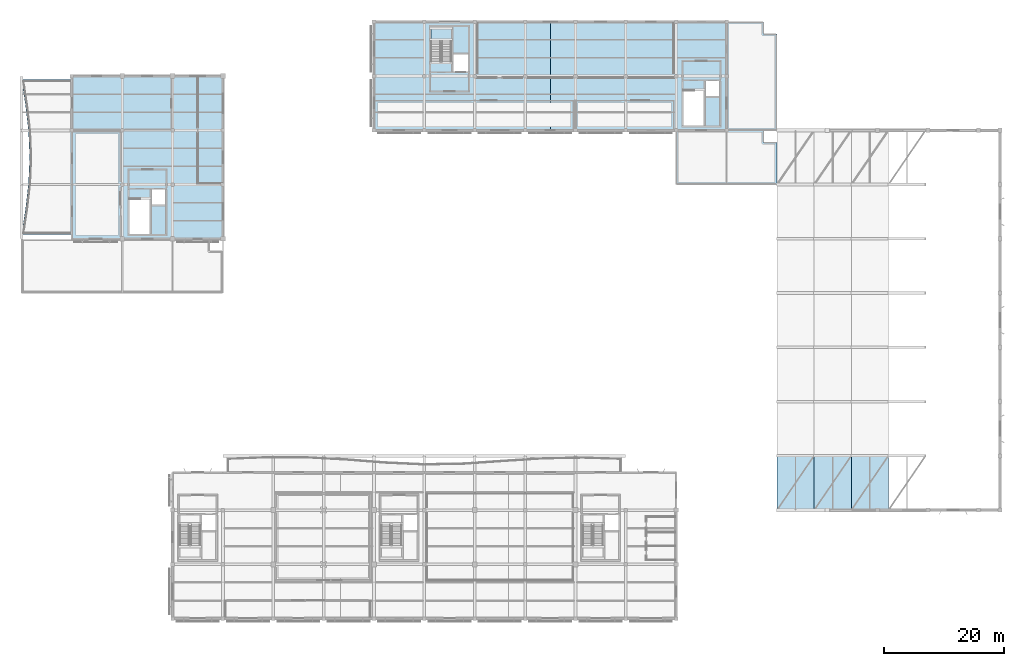
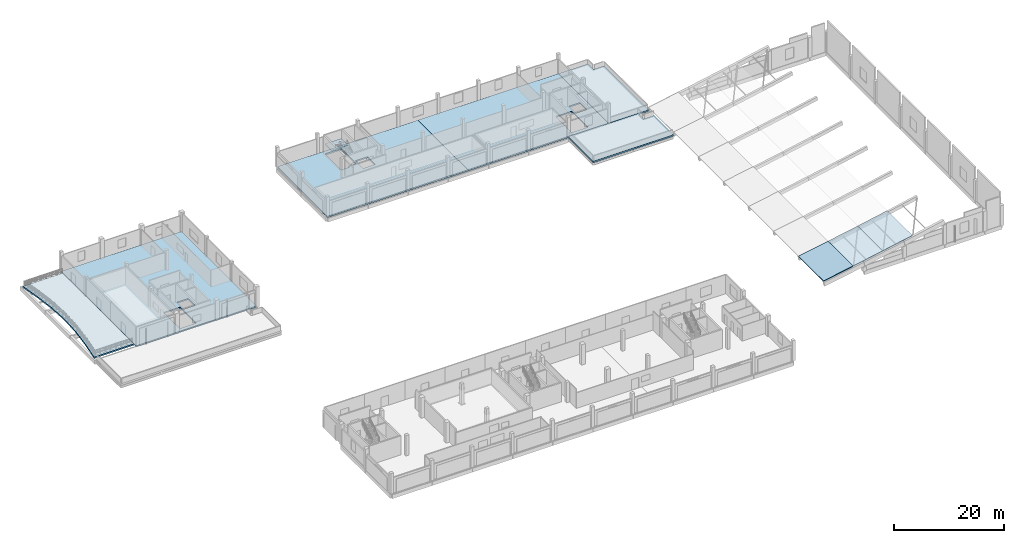
# One storey, part 9 of 34: 10 slabs, 1 element without a shape of its own.
"""IFC4 building model written with IfcOpenShell, lengths in metres."""

import ifcopenshell
import ifcopenshell.guid

model = None  # the IFC model being written
_history = None  # IfcOwnerHistory: only IFC2X3 demands one
_inside = {}  # id of a spatial element -> (the spatial element, [elements in it])
_under = {}  # id of a project, library or spatial element -> (it, [spatial elements below it])
_declared = {}  # id of a project -> (the project, [libraries it declares])
_typed = {}  # id of a type object -> (the type object, [elements of that type])
_made_of = {}  # id of a material, layer set ... -> (it, [elements and type objects made of it])


def new_model(schema):
    """Start an empty IFC model of exactly this schema.

    Asked for "IFC4X3", IfcOpenShell would pick the latest addendum, in which some entities
    have other attributes; the version numbers below select the first issue.
    IFC2X3 requires an IfcOwnerHistory on every rooted entity: one is made here for all.
    """
    global model, _history
    if schema == "IFC4X3":
        model = ifcopenshell.file(schema_version=(4, 3, 0, 0))
    else:
        model = ifcopenshell.file(schema=schema)
    _inside.clear()
    _under.clear()
    _declared.clear()
    _typed.clear()
    _made_of.clear()
    _history = None
    if model.schema == "IFC2X3":
        org = make("IfcOrganization", Name="unknown")
        user = make(
            "IfcPersonAndOrganization",
            ThePerson=make("IfcPerson", FamilyName="unknown"),
            TheOrganization=org,
        )
        app = make(
            "IfcApplication",
            ApplicationDeveloper=org,
            Version="unknown",
            ApplicationFullName="unknown",
            ApplicationIdentifier="unknown",
        )
        _history = make(
            "IfcOwnerHistory",
            OwningUser=user,
            OwningApplication=app,
            ChangeAction="ADDED",
            CreationDate=0,
        )
    return model


def make(cls, **values):
    """One entity of the class cls with the attributes given. An attribute that is None is left unset."""
    return model.create_entity(
        cls, **{name: value for name, value in values.items() if value is not None}
    )


def rooted(cls, **values):
    """An entity with a GlobalId (a new one), such as an element, a storey or a relation."""
    return make(cls, GlobalId=ifcopenshell.guid.new(), OwnerHistory=_history, **values)


def si_unit(unit_type, name, prefix=None):
    """IfcSIUnit, for example si_unit("LENGTHUNIT", "METRE", prefix="MILLI")."""
    return make("IfcSIUnit", UnitType=unit_type, Prefix=prefix, Name=name)


def assignment(units):
    """IfcUnitAssignment: the units of a project."""
    return None if units is None else make("IfcUnitAssignment", Units=units)


def point(xyz):
    """IfcCartesianPoint."""
    return None if xyz is None else make("IfcCartesianPoint", Coordinates=xyz)


def direction(xyz):
    """IfcDirection."""
    return None if xyz is None else make("IfcDirection", DirectionRatios=xyz)


def frame(location, z_axis=None, x_axis=None):
    """IfcAxis2Placement3D, a coordinate frame: its origin and axes. An axis left out is left unset."""
    return make(
        "IfcAxis2Placement3D",
        Location=point(location),
        Axis=direction(z_axis),
        RefDirection=direction(x_axis),
    )


def origin():
    """The frame at (0, 0, 0) with its axes left unset."""
    return frame((0.0, 0.0, 0.0))


def place(relative_to, where):
    """IfcLocalPlacement: puts the frame where relative to a parent placement (None: the world)."""
    return make(
        "IfcLocalPlacement", PlacementRelTo=relative_to, RelativePlacement=where
    )


def context(
    kind, dimensions, precision=None, world=None, true_north=None, identifier=None
):
    """IfcGeometricRepresentationContext, for example the 3D "Model" context."""
    return make(
        "IfcGeometricRepresentationContext",
        ContextIdentifier=identifier,
        ContextType=kind,
        CoordinateSpaceDimension=dimensions,
        Precision=precision,
        WorldCoordinateSystem=world,
        TrueNorth=true_north,
    )


def subcontext(parent, identifier, kind, view, scale=None):
    """IfcGeometricRepresentationSubContext, for example "Body" below "Model"."""
    return make(
        "IfcGeometricRepresentationSubContext",
        ContextIdentifier=identifier,
        ContextType=kind,
        ParentContext=parent,
        TargetScale=scale,
        TargetView=view,
    )


def project(units=None, contexts=None):
    """IfcProject with its units and contexts."""
    return rooted(
        "IfcProject",
        Name="project",
        RepresentationContexts=contexts,
        UnitsInContext=assignment(units),
    )


def spatial(cls, under=None, at=None, **own):
    """A site, building, storey or space (cls), placed at a placement, below another one or the project."""
    s = rooted(cls, ObjectPlacement=at, **own)
    if under is not None:
        _under.setdefault(under.id(), (under, []))[1].append(s)
    return s


def polyline(points):
    """IfcPolyline through the points."""
    return make("IfcPolyline", Points=[point(p) for p in points])


def outline(outer, holes=None, kind="AREA"):
    """IfcArbitraryClosedProfileDef: a profile drawn as a closed curve; with holes, ...WithVoids."""
    if holes is None:
        return make("IfcArbitraryClosedProfileDef", ProfileType=kind, OuterCurve=outer)
    return make(
        "IfcArbitraryProfileDefWithVoids",
        ProfileType=kind,
        OuterCurve=outer,
        InnerCurves=holes,
    )


def extrude(swept, where, along, depth):
    """IfcExtrudedAreaSolid: the profile swept, set in the frame where, extruded along a direction by depth."""
    return make(
        "IfcExtrudedAreaSolid",
        SweptArea=swept,
        Position=where,
        ExtrudedDirection=direction(along),
        Depth=depth,
    )


def shape(context_of_items, identifier, shape_type, items):
    """IfcShapeRepresentation: the items that make up one representation, for example the "Body"."""
    return make(
        "IfcShapeRepresentation",
        ContextOfItems=context_of_items,
        RepresentationIdentifier=identifier,
        RepresentationType=shape_type,
        Items=items,
    )


def material(Name=None, Category=None):
    """IfcMaterial."""
    return make("IfcMaterial", Name=Name, Category=Category)


def layer(
    of_material, thickness, ventilated=None, Name=None, Category=None, Priority=None
):
    """IfcMaterialLayer: one layer of a wall or slab, of a material (None: an air gap)."""
    return make(
        "IfcMaterialLayer",
        Material=of_material,
        LayerThickness=thickness,
        IsVentilated=ventilated,
        Name=Name,
        Category=Category,
        Priority=Priority,
    )


def layer_set(layers, Name=None):
    """IfcMaterialLayerSet."""
    return make("IfcMaterialLayerSet", MaterialLayers=layers, LayerSetName=Name)


def made_of(thing, what):
    """Note that an element or type object is made of a material, layer set ...; save() writes the relation."""
    if what is not None:
        _made_of.setdefault(what.id(), (what, []))[1].append(thing)
    return thing


def type_object(cls, material=None, **own):
    """A type object (cls), such as IfcWallType, which elements share."""
    return made_of(rooted(cls, **own), material)


def element(
    cls,
    number,
    at=None,
    inside=None,
    cuts=None,
    type_object=None,
    material=None,
    context=None,
    identifier="Body",
    shape_type=None,
    held_by="IfcProductDefinitionShape",
    body=None,
    shapes=None,
    **own,
):
    """One element of the class cls, such as IfcWall. Its Tag is "e" and its number.

    at: its placement. inside: the storey or other place that contains it. cuts: it is an
    opening in that element (IfcRelVoidsElement). A single representation is given by context,
    identifier, shape_type and body (its items); several are given by shapes. held_by: the class
    of the entity that holds the representations. save() writes the other relations.
    """
    e = rooted(cls, Tag="e%d" % number, ObjectPlacement=at, **own)
    if body is not None:
        shapes = [shape(context, identifier, shape_type, body)]
    if shapes is not None:
        e.Representation = make(held_by, Representations=shapes)
    if inside is not None:
        _inside.setdefault(inside.id(), (inside, []))[1].append(e)
    if cuts is not None:
        rooted(
            "IfcRelVoidsElement", RelatingBuildingElement=cuts, RelatedOpeningElement=e
        )
    if type_object is not None:
        _typed.setdefault(type_object.id(), (type_object, []))[1].append(e)
    return made_of(e, material)


def aggregate(whole, parts):
    """IfcRelAggregates: a whole, such as a stair, and the parts it consists of."""
    return rooted("IfcRelAggregates", RelatingObject=whole, RelatedObjects=parts)


def save(model, path):
    """Write the relations noted so far, then the file.

    IfcRelAggregates (storeys below a building ...), IfcRelContainedInSpatialStructure (elements
    in a storey), IfcRelDefinesByType, IfcRelAssociatesMaterial and IfcRelDeclares: one each for
    every whole, place, type object, material and project.
    """
    for whole, parts in _under.values():
        aggregate(whole, parts)
    for where, things in _inside.values():
        rooted(
            "IfcRelContainedInSpatialStructure",
            RelatedElements=things,
            RelatingStructure=where,
        )
    for kind, things in _typed.values():
        rooted("IfcRelDefinesByType", RelatedObjects=things, RelatingType=kind)
    for what, things in _made_of.values():
        rooted("IfcRelAssociatesMaterial", RelatedObjects=things, RelatingMaterial=what)
    for by, libraries in _declared.values():
        rooted("IfcRelDeclares", RelatingContext=by, RelatedDefinitions=libraries)
    model.write(path)


model = new_model("IFC4")

# Units and contexts
model_context = context("Model", 3, precision=1e-05, world=origin(), true_north=direction((0.0, 1.0)))
body_context = subcontext(model_context, "Body", "Model", "MODEL_VIEW")
ifc_project = project(units=[si_unit("LENGTHUNIT", "METRE"), si_unit("AREAUNIT", "SQUARE_METRE"), si_unit("VOLUMEUNIT", "CUBIC_METRE"), si_unit("PLANEANGLEUNIT", "RADIAN"), si_unit("MASSUNIT", "GRAM", prefix="KILO")], contexts=[model_context])

# Site, building, storey
site_placement = place(None, origin())
site = spatial("IfcSite", under=ifc_project, at=site_placement, CompositionType="ELEMENT")
building_placement = place(site_placement, origin())
building = spatial("IfcBuilding", under=site, at=building_placement, Name="Khurvash Pelagic Aquarium", CompositionType="ELEMENT")
storey_placement = place(building_placement, frame((0.0, 0.0, 15.60009765625)))
storey = spatial("IfcBuildingStorey", under=building, at=storey_placement, Name="L03", CompositionType="ELEMENT", Elevation=15.60009765625)

# Slabs
ifc_material_1 = material(Name="Concrete C40/50", Category="concrete")
ifc_layer_1 = layer(ifc_material_1, 0.300048828125)
ifc_layer_set_1 = layer_set([ifc_layer_1], Name="Concrete C40/50")
slab_type_1 = type_object("IfcSlabType", Name="FS-300", PredefinedType="FLOOR", material=ifc_layer_set_1)
slab_1_placement = place(storey_placement, frame((0.0, 0.0, -0.300048828125)))
element("IfcSlab", 1, at=slab_1_placement, inside=storey, type_object=slab_type_1, Name="L03 Structural Floor Slab FS-300 V4_WEST.1", PredefinedType="FLOOR", context=body_context, shape_type="SweptSolid", body=[
    extrude(outline(polyline([(8.39990234375, 65.949951171875), (33.60009765625, 65.949951171875), (33.60009765625, 93.10009765625), (8.39990234375, 93.10009765625), (8.39990234375, 65.949951171875)]), holes=[polyline([(18.0, 66.75), (18.0, 72.550048828125), (21.39990234375, 72.550048828125), (21.39990234375, 66.75), (18.0, 66.75)]), polyline([(24.0, 71.64990234375), (21.699951171875, 71.64990234375), (21.699951171875, 74.14990234375), (24.0, 74.14990234375), (24.0, 71.64990234375)])]), origin(), (0.0, 0.0, 1.0), 0.300048828125),
])
slab_2_placement = place(storey_placement, frame((0.0, 0.0, -0.300048828125)))
element("IfcSlab", 2, at=slab_2_placement, inside=storey, type_object=slab_type_1, Name="L03 Structural Floor Slab FS-300 V5_NORTH.1", PredefinedType="FLOOR", context=body_context, shape_type="SweptSolid", body=[
    extrude(outline(polyline([(58.800048828125, 84.050048828125), (88.199951171875, 84.050048828125), (88.199951171875, 102.14990234375), (58.800048828125, 102.14990234375), (58.800048828125, 84.050048828125)]), holes=[polyline([(70.10009765625, 95.5), (68.300048828125, 95.5), (68.300048828125, 101.300048828125), (71.699951171875, 101.300048828125), (71.699951171875, 95.8798828125), (70.10009765625, 95.8798828125), (70.10009765625, 95.5)]), polyline([(74.5, 93.89990234375), (72.0, 93.89990234375), (72.0, 96.699951171875), (74.5, 96.699951171875), (74.5, 93.89990234375)])]), origin(), (0.0, 0.0, 1.0), 0.300048828125),
])
slab_3_placement = place(storey_placement, frame((0.0, 0.0, -0.300048828125)))
element("IfcSlab", 3, at=slab_3_placement, inside=storey, type_object=slab_type_1, Name="L03 Structural Floor Slab FS-300 V5_NORTH.2", PredefinedType="FLOOR", context=body_context, shape_type="SweptSolid", body=[
    extrude(outline(polyline([(117.60009765625, 84.050048828125), (117.60009765625, 102.14990234375), (88.199951171875, 102.14990234375), (88.199951171875, 84.050048828125), (117.60009765625, 84.050048828125)]), holes=[polyline([(110.39990234375, 84.85009765625), (110.39990234375, 90.64990234375), (113.800048828125, 90.64990234375), (113.800048828125, 84.85009765625), (110.39990234375, 84.85009765625)]), polyline([(116.39990234375, 89.75), (114.10009765625, 89.75), (114.10009765625, 92.25), (116.39990234375, 92.25), (116.39990234375, 89.75)])]), origin(), (0.0, 0.0, 1.0), 0.300048828125),
])
ifc_material_2 = material(Name="Steel-fibre concrete C40/50", Category="concrete")
ifc_layer_2 = layer(ifc_material_2, 0.1650390625)
ifc_layer_set_2 = layer_set([ifc_layer_2], Name="Steel-fibre concrete C40/50")
slab_type_2 = type_object("IfcSlabType", Name="RS-165", PredefinedType="ROOF", material=ifc_layer_set_2)
slab_4_placement = place(storey_placement, frame((126.0, 20.699951171875, 0.599853515625), z_axis=(-0.18086177632, 0.0, 0.983508524552), x_axis=(0.983508524552, 0.0, 0.18086177632)))
element("IfcSlab", 4, at=slab_4_placement, inside=storey, type_object=slab_type_2, Name="Main Ocean Tank Wave Shell Roof Strip RS-165 Bay 1.1", PredefinedType="ROOF", context=body_context, shape_type="SweptSolid", body=[
    extrude(outline(polyline([(0.0, 0.0), (6.303911981545761, 0.0), (6.303911981545761, 9.050048828125), (0.0, 9.050048828125), (0.0, 0.0)])), origin(), (0.0, 0.0, -1.0), 0.1650390625),
])
slab_5_placement = place(storey_placement, frame((132.199951171875, 20.699951171875, 1.739990234375), z_axis=(-0.186957456135, 0.0, 0.982368011285), x_axis=(0.982368011285, 0.0, 0.186957456135)))
element("IfcSlab", 5, at=slab_5_placement, inside=storey, type_object=slab_type_2, Name="Main Ocean Tank Wave Shell Roof Strip RS-165 Bay 1.2", PredefinedType="ROOF", context=body_context, shape_type="SweptSolid", body=[
    extrude(outline(polyline([(0.0, 0.0), (6.311230720721767, 0.0), (6.311230720721767, 9.050048828125), (0.0, 9.050048828125), (0.0, 0.0)])), origin(), (0.0, 0.0, -1.0), 0.1650390625),
])
slab_6_placement = place(storey_placement, frame((138.39990234375, 20.699951171875, 2.919921875), z_axis=(-0.19610870981, 0.0, 0.980582160727), x_axis=(0.980582160727, 0.0, 0.19610870981)))
element("IfcSlab", 6, at=slab_6_placement, inside=storey, type_object=slab_type_2, Name="Main Ocean Tank Wave Shell Roof Strip RS-165 Bay 1.3", PredefinedType="ROOF", context=body_context, shape_type="SweptSolid", body=[
    extrude(outline(polyline([(0.0, 0.0), (6.322973801502925, 0.0), (6.322973801502925, 9.050048828125002), (0.0, 9.050048828125002), (0.0, 0.0)])), origin(), (0.0, 0.0, -1.0), 0.1650390625),
])
ifc_material_3 = material(Name="Concrete C35/45", Category="concrete")
ifc_layer_3 = layer(ifc_material_3, 0.320068359375)
ifc_layer_set_3 = layer_set([ifc_layer_3], Name="Concrete C35/45")
slab_type_3 = type_object("IfcSlabType", Name="RS-320", PredefinedType="ROOF", material=ifc_layer_set_3)
slab_7_placement = place(storey_placement, frame((0.0, 0.0, -0.320068359375)))
element("IfcSlab", 7, at=slab_7_placement, inside=storey, type_object=slab_type_3, Name="L03 Insulated Concrete Roof Slab RS-320 ROOF_L03_NLINK.1", PredefinedType="ROOF", context=body_context, shape_type="SweptSolid", body=[
    extrude(outline(polyline([(126.0, 75.0), (126.0, 82.050048828125), (123.800048828125, 82.050048828125), (123.800048828125, 84.050048828125), (117.60009765625, 84.050048828125), (109.199951171875, 84.050048828125), (109.199951171875, 75.0), (126.0, 75.0)])), origin(), (0.0, 0.0, 1.0), 0.320068359375),
])
slab_8_placement = place(storey_placement, frame((0.0, 0.0, -0.320068359375)))
element("IfcSlab", 8, at=slab_8_placement, inside=storey, type_object=slab_type_3, Name="L03 Insulated Concrete Roof Slab RS-320 ROOF_L03_NE.1", PredefinedType="ROOF", context=body_context, shape_type="SweptSolid", body=[
    extrude(outline(polyline([(126.0, 84.050048828125), (126.0, 100.14990234375), (123.800048828125, 100.14990234375), (123.800048828125, 102.14990234375), (117.60009765625, 102.14990234375), (117.60009765625, 84.050048828125), (123.800048828125, 84.050048828125), (126.0, 84.050048828125)])), origin(), (0.0, 0.0, 1.0), 0.320068359375),
])

# Stair, slab
stair_type = type_object("IfcStairType", Name="ST-04", PredefinedType="HALF_TURN_STAIR", material=ifc_material_3)
stair_placement = place(storey_placement, origin())
stair = element("IfcStair", 9, at=stair_placement, inside=storey, type_object=stair_type, Name="L03 Protected Exit Stair ST-04", PredefinedType="HALF_TURN_STAIR")
ifc_layer_4 = layer(ifc_material_3, 0.199951171875)
ifc_layer_set_4 = layer_set([ifc_layer_4], Name="Concrete C35/45")
slab_type_4 = type_object("IfcSlabType", Name="SL-LND-200", PredefinedType="LANDING", material=ifc_layer_set_4)
slab_9_placement = place(storey_placement, frame((0.0, 0.0, 2.0498046875)))
slab_9 = element("IfcSlab", 10, at=slab_9_placement, type_object=slab_type_4, Name="ST-04 landing 1", PredefinedType="LANDING", context=body_context, shape_type="SweptSolid", body=[
    extrude(outline(polyline([(71.699951171875, 98.919921875), (71.699951171875, 101.300048828125), (68.300048828125, 101.300048828125), (68.300048828125, 98.919921875), (71.699951171875, 98.919921875)])), origin(), (0.0, 0.0, 1.0), 0.2001953125),
])
aggregate(stair, [slab_9])

# Slab
ifc_material_4 = material(Name="Water-retaining concrete C40/50", Category="concrete")
ifc_layer_5 = layer(ifc_material_4, 0.2900390625)
ifc_layer_set_5 = layer_set([ifc_layer_5], Name="Water-retaining concrete C40/50")
slab_type_5 = type_object("IfcSlabType", Name="TR-290", PredefinedType="FLOOR", material=ifc_layer_set_5)
slab_10_placement = place(storey_placement, frame((0.0, 0.0, -0.2900390625)))
element("IfcSlab", 11, at=slab_10_placement, inside=storey, type_object=slab_type_5, Name="L03 Planted Monsoon Terrace Slab TR-290 TERR_L03_W", PredefinedType="FLOOR", context=body_context, shape_type="SweptSolid", body=[
    extrude(outline(polyline([(8.39990234375, 66.64990234375), (8.39990234375, 92.5), (0.0, 92.5), (0.675048828125, 88.19189453125), (1.1689453125, 83.883056640625), (1.35009765625, 79.574951171875), (1.1689453125, 75.26708984375), (0.675048828125, 70.9580078125), (0.0, 66.64990234375), (8.39990234375, 66.64990234375)])), origin(), (0.0, 0.0, 1.0), 0.2900390625),
])

save(model, "model.ifc")
